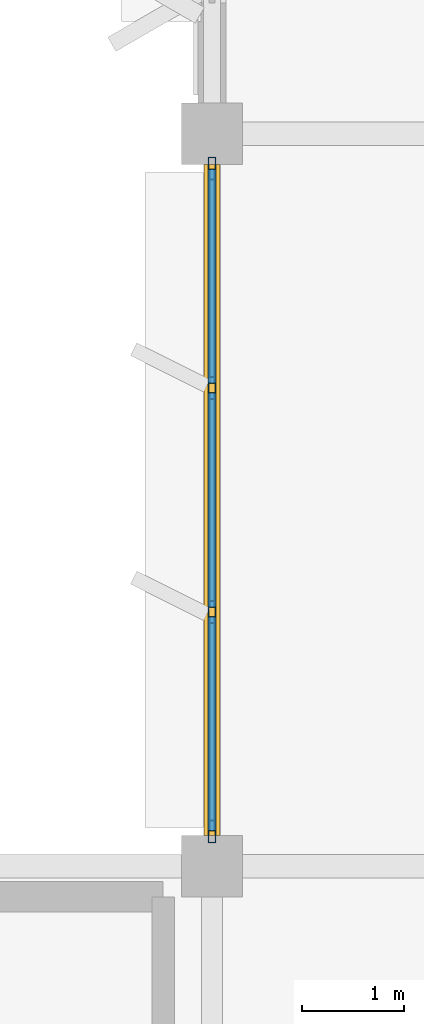
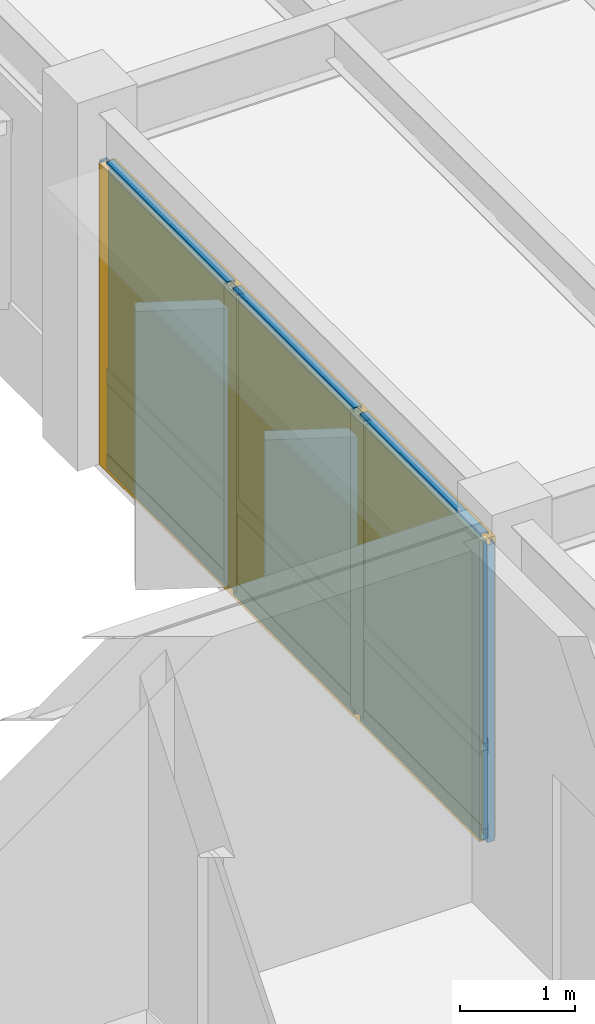
# One storey, part 63 of 82: 13 members, 6 plates, 1 curtain wall.
"""IFC4 building model written with IfcOpenShell, lengths in metres."""

from ifc_helpers import new_model, si_unit, direction, frame, origin, origin_2d, place, context, subcontext, project, spatial, rectangle, hollow_rectangle, extrude, material, layer, layer_set, material_profile, profile_set, type_object, element, aggregate, save


model = new_model("IFC4")

# Units and contexts
model_context = context("Model", 3, precision=1e-05, world=origin(), true_north=direction((0.0, 1.0)))
body_context = subcontext(model_context, "Body", "Model", "MODEL_VIEW")
ifc_project = project(units=[si_unit("LENGTHUNIT", "METRE"), si_unit("AREAUNIT", "SQUARE_METRE"), si_unit("VOLUMEUNIT", "CUBIC_METRE"), si_unit("PLANEANGLEUNIT", "RADIAN"), si_unit("MASSUNIT", "GRAM", prefix="KILO")], contexts=[model_context])

# Member
ifc_material_1 = material(Name="Anodized Aluminium 6063-T6", Category="aluminium")
ifc_material_profile_1 = material_profile(ifc_material_1, hollow_rectangle(XDim=0.074951171875, YDim=0.219970703125, WallThickness=0.0048828125, at=origin_2d()), Name="ALU 75x220x5")
ifc_profile_set_1 = profile_set([ifc_material_profile_1], Name="Anodized Aluminium 6063-T6")
member_type_1 = type_object("IfcMemberType", Name="CWM-75X180", PredefinedType="MULLION", material=ifc_profile_set_1)
site_placement = place(None, origin())
building_placement = place(site_placement, origin())
storey_placement = place(building_placement, frame((0.0, 0.0, 14.10009765625)))
member_1_placement = place(storey_placement, frame((93.60009765625, 93.93994140625, 0.02001953125), z_axis=(0.0, 0.0, 1.0), x_axis=(1.0, 0.0, 0.0)))
member_1 = element("IfcMember", 1, at=member_1_placement, type_object=member_type_1, Name="Curtain wall mullion CW-L04-13-13-W-00", PredefinedType="MULLION", context=body_context, shape_type="SweptSolid", body=[
    extrude(hollow_rectangle(XDim=0.074951171875, YDim=0.219970703125, WallThickness=0.0048828125, at=origin_2d()), origin(), (0.0, 0.0, 1.0), 3.15185546875),
])

member_2_placement = place(storey_placement, frame((93.60009765625, 96.10009765625, 0.02001953125), z_axis=(0.0, 0.0, 1.0), x_axis=(1.0, 0.0, 0.0)))
member_2 = element("IfcMember", 2, at=member_2_placement, type_object=member_type_1, Name="Curtain wall mullion CW-L04-13-13-W-01", PredefinedType="MULLION", context=body_context, shape_type="SweptSolid", body=[
    extrude(hollow_rectangle(XDim=0.074951171875, YDim=0.219970703125, WallThickness=0.0048828125, at=origin_2d()), origin(), (0.0, 0.0, 1.0), 3.15185546875),
])

member_3_placement = place(storey_placement, frame((93.60009765625, 98.300048828125, 0.02001953125), z_axis=(0.0, 0.0, 1.0), x_axis=(1.0, 0.0, 0.0)))
member_3 = element("IfcMember", 3, at=member_3_placement, type_object=member_type_1, Name="Curtain wall mullion CW-L04-13-13-W-02", PredefinedType="MULLION", context=body_context, shape_type="SweptSolid", body=[
    extrude(hollow_rectangle(XDim=0.074951171875, YDim=0.219970703125, WallThickness=0.0048828125, at=origin_2d()), origin(), (0.0, 0.0, 1.0), 3.15185546875),
])

member_4_placement = place(storey_placement, frame((93.60009765625, 100.4599609375, 0.02001953125), z_axis=(0.0, 0.0, 1.0), x_axis=(1.0, 0.0, 0.0)))
member_4 = element("IfcMember", 4, at=member_4_placement, type_object=member_type_1, Name="Curtain wall mullion CW-L04-13-13-W-03", PredefinedType="MULLION", context=body_context, shape_type="SweptSolid", body=[
    extrude(hollow_rectangle(XDim=0.074951171875, YDim=0.219970703125, WallThickness=0.0048828125, at=origin_2d()), origin(), (0.0, 0.0, 1.0), 3.15185546875),
])

ifc_material_profile_2 = material_profile(ifc_material_1, hollow_rectangle(XDim=0.074951171875, YDim=0.159912109375, WallThickness=0.00390625, at=origin_2d()), Name="ALU 75x160x4")
ifc_profile_set_2 = profile_set([ifc_material_profile_2], Name="Anodized Aluminium 6063-T6")
member_type_2 = type_object("IfcMemberType", Name="CWT-75X150", PredefinedType="USERDEFINED", material=ifc_profile_set_2)
member_5_placement = place(storey_placement, frame((93.60009765625, 93.949951171875, 0.0498046875), z_axis=(0.0, 1.0, 0.0), x_axis=(-1.0, 0.0, 0.0)))
member_5 = element("IfcMember", 5, at=member_5_placement, type_object=member_type_2, Name="Curtain wall transom CW-L04-13-13-W-1.01", ObjectType="TRANSOM", PredefinedType="USERDEFINED", context=body_context, shape_type="SweptSolid", body=[
    extrude(hollow_rectangle(XDim=0.074951171875, YDim=0.159912109375, WallThickness=0.00390625, at=origin_2d()), origin(), (0.0, 0.0, 1.0), 2.10009765625),
])

member_6_placement = place(storey_placement, frame((93.60009765625, 96.14990234375, 0.0498046875), z_axis=(0.0, 1.0, 0.0), x_axis=(-1.0, 0.0, 0.0)))
member_6 = element("IfcMember", 6, at=member_6_placement, type_object=member_type_2, Name="Curtain wall transom CW-L04-13-13-W-1.02", ObjectType="TRANSOM", PredefinedType="USERDEFINED", context=body_context, shape_type="SweptSolid", body=[
    extrude(hollow_rectangle(XDim=0.074951171875, YDim=0.159912109375, WallThickness=0.00390625, at=origin_2d()), origin(), (0.0, 0.0, 1.0), 2.10009765625),
])

member_7_placement = place(storey_placement, frame((93.60009765625, 98.35009765625, 0.0498046875), z_axis=(0.0, 1.0, 0.0), x_axis=(-1.0, 0.0, 0.0)))
member_7 = element("IfcMember", 7, at=member_7_placement, type_object=member_type_2, Name="Curtain wall transom CW-L04-13-13-W-1.03", ObjectType="TRANSOM", PredefinedType="USERDEFINED", context=body_context, shape_type="SweptSolid", body=[
    extrude(hollow_rectangle(XDim=0.074951171875, YDim=0.159912109375, WallThickness=0.00390625, at=origin_2d()), origin(), (0.0, 0.0, 1.0), 2.099853515625),
])

member_8_placement = place(storey_placement, frame((93.60009765625, 93.949951171875, 0.949951171875), z_axis=(0.0, 1.0, 0.0), x_axis=(-1.0, 0.0, 0.0)))
member_8 = element("IfcMember", 8, at=member_8_placement, type_object=member_type_2, Name="Curtain wall transom CW-L04-13-13-W-2.01", ObjectType="TRANSOM", PredefinedType="USERDEFINED", context=body_context, shape_type="SweptSolid", body=[
    extrude(hollow_rectangle(XDim=0.074951171875, YDim=0.159912109375, WallThickness=0.00390625, at=origin_2d()), origin(), (0.0, 0.0, 1.0), 2.10009765625),
])

member_9_placement = place(storey_placement, frame((93.60009765625, 96.14990234375, 0.949951171875), z_axis=(0.0, 1.0, 0.0), x_axis=(-1.0, 0.0, 0.0)))
member_9 = element("IfcMember", 9, at=member_9_placement, type_object=member_type_2, Name="Curtain wall transom CW-L04-13-13-W-2.02", ObjectType="TRANSOM", PredefinedType="USERDEFINED", context=body_context, shape_type="SweptSolid", body=[
    extrude(hollow_rectangle(XDim=0.074951171875, YDim=0.159912109375, WallThickness=0.00390625, at=origin_2d()), origin(), (0.0, 0.0, 1.0), 2.10009765625),
])

member_10_placement = place(storey_placement, frame((93.60009765625, 98.35009765625, 0.949951171875), z_axis=(0.0, 1.0, 0.0), x_axis=(-1.0, 0.0, 0.0)))
member_10 = element("IfcMember", 10, at=member_10_placement, type_object=member_type_2, Name="Curtain wall transom CW-L04-13-13-W-2.03", ObjectType="TRANSOM", PredefinedType="USERDEFINED", context=body_context, shape_type="SweptSolid", body=[
    extrude(hollow_rectangle(XDim=0.074951171875, YDim=0.159912109375, WallThickness=0.00390625, at=origin_2d()), origin(), (0.0, 0.0, 1.0), 2.099853515625),
])

member_11_placement = place(storey_placement, frame((93.60009765625, 93.949951171875, 3.141845703125), z_axis=(0.0, 1.0, 0.0), x_axis=(-1.0, 0.0, 0.0)))
member_11 = element("IfcMember", 11, at=member_11_placement, type_object=member_type_2, Name="Curtain wall transom CW-L04-13-13-W-3.01", ObjectType="TRANSOM", PredefinedType="USERDEFINED", context=body_context, shape_type="SweptSolid", body=[
    extrude(hollow_rectangle(XDim=0.074951171875, YDim=0.159912109375, WallThickness=0.00390625, at=origin_2d()), origin(), (0.0, 0.0, 1.0), 2.10009765625),
])

member_12_placement = place(storey_placement, frame((93.60009765625, 96.14990234375, 3.141845703125), z_axis=(0.0, 1.0, 0.0), x_axis=(-1.0, 0.0, 0.0)))
member_12 = element("IfcMember", 12, at=member_12_placement, type_object=member_type_2, Name="Curtain wall transom CW-L04-13-13-W-3.02", ObjectType="TRANSOM", PredefinedType="USERDEFINED", context=body_context, shape_type="SweptSolid", body=[
    extrude(hollow_rectangle(XDim=0.074951171875, YDim=0.159912109375, WallThickness=0.00390625, at=origin_2d()), origin(), (0.0, 0.0, 1.0), 2.10009765625),
])

member_13_placement = place(storey_placement, frame((93.60009765625, 98.35009765625, 3.141845703125), z_axis=(0.0, 1.0, 0.0), x_axis=(-1.0, 0.0, 0.0)))
member_13 = element("IfcMember", 13, at=member_13_placement, type_object=member_type_2, Name="Curtain wall transom CW-L04-13-13-W-3.03", ObjectType="TRANSOM", PredefinedType="USERDEFINED", context=body_context, shape_type="SweptSolid", body=[
    extrude(hollow_rectangle(XDim=0.074951171875, YDim=0.159912109375, WallThickness=0.00390625, at=origin_2d()), origin(), (0.0, 0.0, 1.0), 2.099853515625),
])

# Plate
ifc_material_2 = material(Name="Acoustic Laminated Low-E Glazing", Category="glass")
ifc_layer_1 = layer(ifc_material_2, 0.0439453125)
ifc_layer_set_1 = layer_set([ifc_layer_1], Name="Acoustic Laminated Low-E Glazing")
plate_type_1 = type_object("IfcPlateType", Name="CWP-IGU-44", PredefinedType="CURTAIN_PANEL", material=ifc_layer_set_1)
plate_1_placement = place(storey_placement, frame((93.60009765625, 95.0, 0.98974609375), z_axis=(0.0, 0.0, 1.0), x_axis=(0.0, 1.0, 0.0)))
plate_1 = element("IfcPlate", 14, at=plate_1_placement, type_object=plate_type_1, Name="Curtain wall vision glazing CW-L04-13-13-W-01", PredefinedType="CURTAIN_PANEL", context=body_context, shape_type="SweptSolid", body=[
    extrude(rectangle(XDim=2.110107421875, YDim=0.0400390625, at=origin_2d()), origin(), (0.0, 0.0, 1.0), 2.14208984375),
])

plate_2_placement = place(storey_placement, frame((93.60009765625, 97.199951171875, 0.98974609375), z_axis=(0.0, 0.0, 1.0), x_axis=(0.0, 1.0, 0.0)))
plate_2 = element("IfcPlate", 15, at=plate_2_placement, type_object=plate_type_1, Name="Curtain wall vision glazing CW-L04-13-13-W-02", PredefinedType="CURTAIN_PANEL", context=body_context, shape_type="SweptSolid", body=[
    extrude(rectangle(XDim=2.110107421875, YDim=0.0400390625, at=origin_2d()), origin(), (0.0, 0.0, 1.0), 2.14208984375),
])

plate_3_placement = place(storey_placement, frame((93.60009765625, 99.39990234375, 0.98974609375), z_axis=(0.0, 0.0, 1.0), x_axis=(0.0, 1.0, 0.0)))
plate_3 = element("IfcPlate", 16, at=plate_3_placement, type_object=plate_type_1, Name="Curtain wall vision glazing CW-L04-13-13-W-03", PredefinedType="CURTAIN_PANEL", context=body_context, shape_type="SweptSolid", body=[
    extrude(rectangle(XDim=2.110107421875, YDim=0.0400390625, at=origin_2d()), origin(), (0.0, 0.0, 1.0), 2.14208984375),
])

ifc_material_3 = material(Name="Insulated Stone-Composite Spandrel", Category="masonry")
ifc_layer_2 = layer(ifc_material_3, 0.068115234375)
ifc_layer_set_2 = layer_set([ifc_layer_2], Name="Insulated Stone-Composite Spandrel")
plate_type_2 = type_object("IfcPlateType", Name="CWP-SPN-68", PredefinedType="CURTAIN_PANEL", material=ifc_layer_set_2)
plate_4_placement = place(storey_placement, frame((93.60009765625, 95.0, 0.080078125), z_axis=(0.0, 0.0, 1.0), x_axis=(0.0, 1.0, 0.0)))
plate_4 = element("IfcPlate", 17, at=plate_4_placement, type_object=plate_type_2, Name="Curtain wall spandrel panel CW-L04-13-13-W-01", PredefinedType="CURTAIN_PANEL", context=body_context, shape_type="SweptSolid", body=[
    extrude(rectangle(XDim=2.110107421875, YDim=0.06005859375, at=origin_2d()), origin(), (0.0, 0.0, 1.0), 0.840087890625),
])

plate_5_placement = place(storey_placement, frame((93.60009765625, 97.199951171875, 0.080078125), z_axis=(0.0, 0.0, 1.0), x_axis=(0.0, 1.0, 0.0)))
plate_5 = element("IfcPlate", 18, at=plate_5_placement, type_object=plate_type_2, Name="Curtain wall spandrel panel CW-L04-13-13-W-02", PredefinedType="CURTAIN_PANEL", context=body_context, shape_type="SweptSolid", body=[
    extrude(rectangle(XDim=2.110107421875, YDim=0.06005859375, at=origin_2d()), origin(), (0.0, 0.0, 1.0), 0.840087890625),
])

plate_6_placement = place(storey_placement, frame((93.60009765625, 99.39990234375, 0.080078125), z_axis=(0.0, 0.0, 1.0), x_axis=(0.0, 1.0, 0.0)))
plate_6 = element("IfcPlate", 19, at=plate_6_placement, type_object=plate_type_2, Name="Curtain wall spandrel panel CW-L04-13-13-W-03", PredefinedType="CURTAIN_PANEL", context=body_context, shape_type="SweptSolid", body=[
    extrude(rectangle(XDim=2.110107421875, YDim=0.06005859375, at=origin_2d()), origin(), (0.0, 0.0, 1.0), 0.840087890625),
])

# Site, building, storey
site = spatial("IfcSite", under=ifc_project, at=site_placement, CompositionType="ELEMENT")
building = spatial("IfcBuilding", under=site, at=building_placement, Name="Sillqori Civic Hall", CompositionType="ELEMENT")
storey = spatial("IfcBuildingStorey", under=building, at=storey_placement, Name="L04", CompositionType="ELEMENT", Elevation=14.10009765625)

# Curtain wall
ifc_material_4 = material(Name="Anodized Aluminium Curtain Wall System", Category="aluminium")
curtain_wall_type = type_object("IfcCurtainWallType", Name="CW-AD-370", PredefinedType="NOTDEFINED", material=ifc_material_4)
curtain_wall_placement = place(storey_placement, frame((93.60009765625, 97.199951171875, 0.0), z_axis=(0.0, 0.0, 1.0), x_axis=(0.0, 1.0, 0.0)))
curtain_wall = element("IfcCurtainWall", 20, at=curtain_wall_placement, inside=storey, type_object=curtain_wall_type, Name="L04 unitised curtain wall CW-L04-13-13-W", PredefinedType="NOTDEFINED", context=body_context, shape_type="SweptSolid", body=[
    extrude(rectangle(XDim=6.60009765625, YDim=0.159912109375, at=origin_2d()), origin(), (0.0, 0.0, 1.0), 3.19189453125),
])

aggregate(curtain_wall, [member_1, member_2, member_3, member_4, member_5, member_6, member_7, member_8, member_9, member_10, member_11, member_12, member_13, plate_4, plate_1, plate_5, plate_2, plate_6, plate_3])

save(model, "model.ifc")
